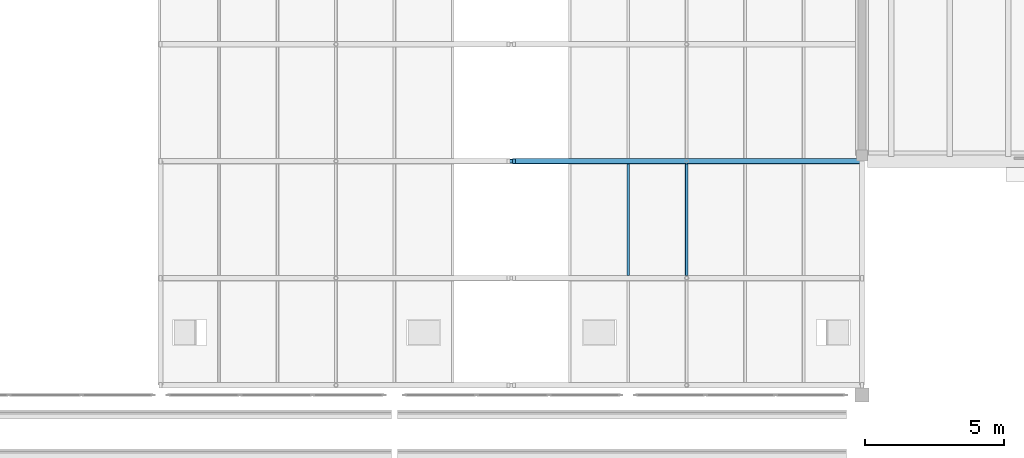
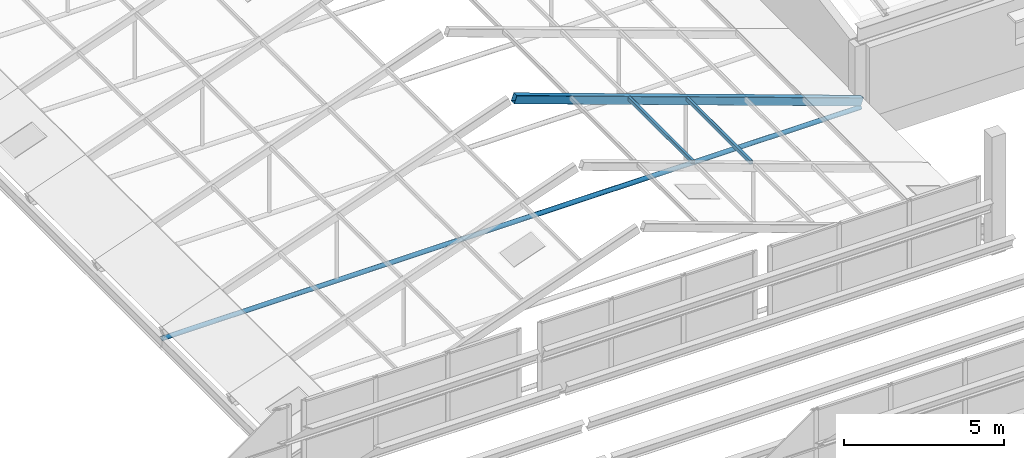
# One storey, part 32 of 116: 4 members.
"""IFC4 building model written with IfcOpenShell, lengths in metres."""

from ifc_helpers import new_model, si_unit, direction, frame, origin, origin_2d, place, context, subcontext, project, spatial, hollow_rectangle, hollow_circle, extrude, material, material_profile, profile_set, type_object, element, save


model = new_model("IFC4")

# Units and contexts
model_context = context("Model", 3, precision=1e-05, world=origin(), true_north=direction((0.0, 1.0)))
body_context = subcontext(model_context, "Body", "Model", "MODEL_VIEW")
ifc_project = project(units=[si_unit("LENGTHUNIT", "METRE"), si_unit("AREAUNIT", "SQUARE_METRE"), si_unit("VOLUMEUNIT", "CUBIC_METRE"), si_unit("PLANEANGLEUNIT", "RADIAN"), si_unit("MASSUNIT", "GRAM", prefix="KILO")], contexts=[model_context])

# Site, building, storey
site_placement = place(None, origin())
site = spatial("IfcSite", under=ifc_project, at=site_placement, CompositionType="ELEMENT")
building_placement = place(site_placement, origin())
building = spatial("IfcBuilding", under=site, at=building_placement, Name="Fescue Hill Polytechnic", CompositionType="ELEMENT")
storey_placement = place(building_placement, frame((0.0, 0.0, 13.5)))
storey = spatial("IfcBuildingStorey", under=building, at=storey_placement, Name="L03", CompositionType="ELEMENT", Elevation=13.5)

# Members
ifc_material = material(Name="Steel 350W (350 MPa)", Category="steel")
ifc_material_profile_1 = material_profile(ifc_material, hollow_rectangle(XDim=0.1015625, YDim=0.15234375, WallThickness=0.00634765625, InnerFilletRadius=0.00634765625, OuterFilletRadius=0.0126953125, at=origin_2d()), Name="Winter garden glazing purlin HSS 152x102x6.4")
ifc_profile_set_1 = profile_set([ifc_material_profile_1], Name="Steel 350W (350 MPa)")
member_type_1 = type_object("IfcMemberType", Name="Winter garden glazing purlin HSS 152x102x6.4", PredefinedType="PURLIN", material=ifc_profile_set_1)
for number, where, z_axis, x_axis, name in (
    (1, (111.30029296875, 54.70166015625, 2.914306640625), (0.0, 1.0, 0.0), (-1.0, 0.0, 0.0), "Winter garden glazing purlin E3 bay 2"),
    (2, (109.200439453125, 54.70166015625, 3.664306640625), (0.0, 1.0, 0.0), (-1.0, 0.0, 0.0), "Winter garden glazing purlin E4 bay 2"),
):
    element("IfcMember", number, at=place(storey_placement, frame(where, z_axis=z_axis, x_axis=x_axis)), inside=storey, type_object=member_type_1, Name=name, PredefinedType="PURLIN", context=body_context, shape_type="SweptSolid", body=[
        extrude(hollow_rectangle(XDim=0.1015625, YDim=0.15234375, WallThickness=0.00634765625, InnerFilletRadius=0.00634765625, OuterFilletRadius=0.0126953125, at=origin_2d()), origin(), (0.0, 0.0, 1.0), 3.996826171875),
    ])
ifc_material_profile_2 = material_profile(ifc_material, hollow_rectangle(XDim=0.203125, YDim=0.3046875, WallThickness=0.009521484375, InnerFilletRadius=0.009521484375, OuterFilletRadius=0.01904296875, at=origin_2d()), Name="Winter garden rafter HSS 305x203x9.5")
ifc_profile_set_2 = profile_set([ifc_material_profile_2], Name="Steel 350W (350 MPa)")
member_type_2 = type_object("IfcMemberType", Name="Winter garden rafter HSS 305x203x9.5", PredefinedType="RAFTER", material=ifc_profile_set_2)
member_1_placement = place(storey_placement, frame((117.60009765625, 58.800048828125, 0.578857421875), z_axis=(-0.941740247025, 0.0, 0.336341057756), x_axis=(0.0, -1.0, 0.0)))
element("IfcMember", 3, at=member_1_placement, inside=storey, type_object=member_type_2, Name="Winter garden rafter E3", PredefinedType="RAFTER", context=body_context, shape_type="SweptSolid", body=[
    extrude(hollow_rectangle(XDim=0.203125, YDim=0.3046875, WallThickness=0.009521484375, InnerFilletRadius=0.009521484375, OuterFilletRadius=0.01904296875, at=origin_2d()), origin(), (0.0, 0.0, 1.0), 13.273193359375),
])
ifc_material_profile_3 = material_profile(ifc_material, hollow_circle(Radius=0.084228515625, WallThickness=0.009521484375, at=origin_2d()), Name="Winter garden tie CHS 168x9.5")
ifc_profile_set_3 = profile_set([ifc_material_profile_3], Name="Steel 350W (350 MPa)")
member_type_3 = type_object("IfcMemberType", Name="Winter garden tie CHS 168x9.5", PredefinedType="STRUT", material=ifc_profile_set_3)
member_2_placement = place(storey_placement, frame((92.39990234375, 58.800048828125, 0.332763671875), z_axis=(1.0, 0.0, 0.0), x_axis=(0.0, 1.0, 0.0)))
element("IfcMember", 4, at=member_2_placement, inside=storey, type_object=member_type_3, Name="Winter garden tie 3", PredefinedType="STRUT", context=body_context, shape_type="SweptSolid", body=[
    extrude(hollow_circle(Radius=0.084228515625, WallThickness=0.009521484375, at=origin_2d()), origin(), (0.0, 0.0, 1.0), 25.2001953125),
])

save(model, "model.ifc")
